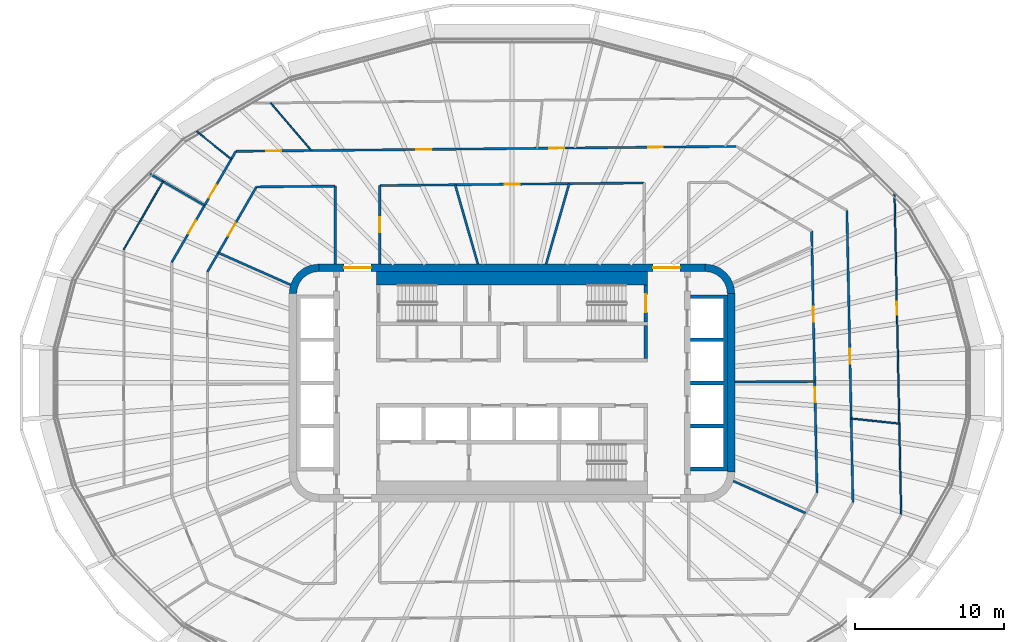
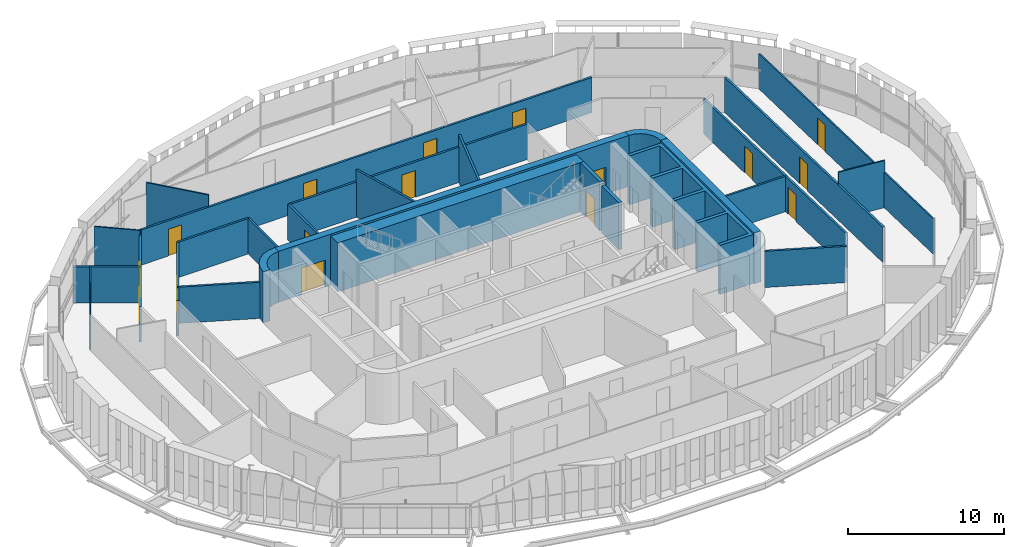
# One storey, part 13 of 22: 28 walls, 16 doors, 16 openings.
"""IFC4 building model written with IfcOpenShell, lengths in metres."""

from ifc_helpers import new_model, si_unit, direction, frame, frame_2d, origin, place, context, subcontext, project, spatial, polyline, rectangle, outline, extrude, material, layer, layer_set, type_object, element, fill, save


model = new_model("IFC4")

# Units and contexts
model_context = context("Model", 3, precision=1e-05, world=origin(), true_north=direction((0.0, 1.0)))
body_context = subcontext(model_context, "Body", "Model", "MODEL_VIEW")
ifc_project = project(units=[si_unit("LENGTHUNIT", "METRE"), si_unit("AREAUNIT", "SQUARE_METRE"), si_unit("VOLUMEUNIT", "CUBIC_METRE"), si_unit("PLANEANGLEUNIT", "RADIAN"), si_unit("MASSUNIT", "GRAM", prefix="KILO")], contexts=[model_context])

# Site, building, storey
site_placement = place(None, origin())
site = spatial("IfcSite", under=ifc_project, at=site_placement, CompositionType="ELEMENT")
building_placement = place(site_placement, origin())
building = spatial("IfcBuilding", under=site, at=building_placement, Name="Sahrelin Media Tower", CompositionType="ELEMENT")
storey_placement = place(building_placement, frame((0.0, 0.0, 189.60009765625)))
storey = spatial("IfcBuildingStorey", under=building, at=storey_placement, Name="L40", CompositionType="ELEMENT", Elevation=189.60009765625)

# Wall, openings, doors
ifc_material_1 = material(Name="Concrete C60/75", Category="concrete")
ifc_layer_1 = layer(ifc_material_1, 0.5)
ifc_layer_set_1 = layer_set([ifc_layer_1], Name="Core wall 500")
wall_type_1 = type_object("IfcWallType", Name="Core wall 500", PredefinedType="SHEAR", material=ifc_layer_set_1)
wall_1_placement = place(storey_placement, frame((-13.0, 7.75, 0.0), z_axis=(0.0, 0.0, 1.0), x_axis=(1.0, 0.0, 0.0)))
wall_1 = element("IfcWall", 1, at=wall_1_placement, inside=storey, type_object=wall_type_1, Name="Core wall N L40", PredefinedType="SHEAR", context=body_context, shape_type="SweptSolid", body=[
    extrude(rectangle(XDim=26.0, YDim=0.5, at=frame_2d((13.0, 0.0))), origin(), (0.0, 0.0, 1.0), 4.0),
])
opening_1_placement = place(wall_1_placement, frame((1.699951171875, 0.0, 0.0)))
opening_1 = element("IfcOpeningElement", 2, at=opening_1_placement, cuts=wall_1, Name="Opening L40-D17", PredefinedType="OPENING", context=body_context, shape_type="SweptSolid", body=[
    extrude(rectangle(XDim=1.800048828125, YDim=2.10009765625, at=frame_2d((0.89990234375, 1.050048828125))), frame((0.0, 0.25, 0.0), z_axis=(0.0, -1.0, 0.0), x_axis=(1.0, 0.0, 0.0)), (0.0, 0.0, 1.0), 0.5),
])
opening_2_placement = place(wall_1_placement, frame((22.5, 0.0, 0.0)))
opening_2 = element("IfcOpeningElement", 3, at=opening_2_placement, cuts=wall_1, Name="Opening L40-D18", PredefinedType="OPENING", context=body_context, shape_type="SweptSolid", body=[
    extrude(rectangle(XDim=1.800048828125, YDim=2.10009765625, at=frame_2d((0.89990234375, 1.050048828125))), frame((0.0, 0.25, 0.0), z_axis=(0.0, -1.0, 0.0), x_axis=(1.0, 0.0, 0.0)), (0.0, 0.0, 1.0), 0.5),
])
ifc_material_2 = material(Name="Steel fire door leaf", Category="steel")
door_type_1 = type_object("IfcDoorType", Name="Lobby double door 1800 x 2100 EI 60", OperationType="DOUBLE_DOOR_SINGLE_SWING", PredefinedType="DOOR", material=ifc_material_2)
door_1_placement = place(opening_1_placement, origin())
door_1 = element("IfcDoor", 4, at=door_1_placement, inside=storey, type_object=door_type_1, Name="Lobby door", OperationType="DOUBLE_DOOR_SINGLE_SWING", OverallHeight=2.10009765625, OverallWidth=1.800048828125, PredefinedType="DOOR", context=body_context, shape_type="SweptSolid", body=[
    extrude(rectangle(XDim=1.800048828125, YDim=2.10009765625, at=frame_2d((0.89990234375, 1.050048828125))), frame((0.0, 0.02490234375, 0.0), z_axis=(0.0, -1.0, 0.0), x_axis=(1.0, 0.0, 0.0)), (0.0, 0.0, 1.0), 0.050048828125),
])
fill(opening_1, door_1)
door_2_placement = place(opening_2_placement, origin())
door_2 = element("IfcDoor", 5, at=door_2_placement, inside=storey, type_object=door_type_1, Name="Lobby door", OperationType="DOUBLE_DOOR_SINGLE_SWING", OverallHeight=2.10009765625, OverallWidth=1.800048828125, PredefinedType="DOOR", context=body_context, shape_type="SweptSolid", body=[
    extrude(rectangle(XDim=1.800048828125, YDim=2.10009765625, at=frame_2d((0.89990234375, 1.050048828125))), frame((0.0, 0.02490234375, 0.0), z_axis=(0.0, -1.0, 0.0), x_axis=(1.0, 0.0, 0.0)), (0.0, 0.0, 1.0), 0.050048828125),
])
fill(opening_2, door_2)

# Walls
wall_2_placement = place(storey_placement, frame((14.75, -6.0, 0.0), z_axis=(0.0, 0.0, 1.0), x_axis=(0.0, 1.0, 0.0)))
element("IfcWall", 6, at=wall_2_placement, inside=storey, type_object=wall_type_1, Name="Core wall E L40", PredefinedType="SHEAR", context=body_context, shape_type="SweptSolid", body=[
    extrude(rectangle(XDim=12.0, YDim=0.5, at=frame_2d((6.0, 0.0))), origin(), (0.0, 0.0, 1.0), 4.0),
])
placement = place(storey_placement, origin())
element("IfcWall", 7, at=placement, inside=storey, type_object=wall_type_1, Name="Core wall corner NE L40", PredefinedType="SHEAR", context=body_context, shape_type="SweptSolid", body=[
    extrude(outline(polyline([(13.0, 8.0), (13.0, 7.49560546875), (13.38720703125, 7.44482421875), (13.747802734375, 7.29541015625), (14.0576171875, 7.0576171875), (14.29541015625, 6.747802734375), (14.44482421875, 6.38720703125), (14.49560546875, 6.0), (15.0, 6.0), (14.931884765625, 6.517578125), (14.732177734375, 7.0), (14.414306640625, 7.414306640625), (14.0, 7.732177734375), (13.517578125, 7.931884765625), (13.0, 8.0)])), origin(), (0.0, 0.0, 1.0), 4.0),
])
element("IfcWall", 8, at=placement, inside=storey, type_object=wall_type_1, Name="Core wall corner NW L40", PredefinedType="SHEAR", context=body_context, shape_type="SweptSolid", body=[
    extrude(outline(polyline([(-15.0, 6.0), (-14.49560546875, 6.0), (-14.44482421875, 6.38720703125), (-14.29541015625, 6.747802734375), (-14.0576171875, 7.0576171875), (-13.747802734375, 7.29541015625), (-13.38720703125, 7.44482421875), (-13.0, 7.49560546875), (-13.0, 8.0), (-13.517578125, 7.931884765625), (-14.0, 7.732177734375), (-14.414306640625, 7.414306640625), (-14.732177734375, 7.0), (-14.931884765625, 6.517578125), (-15.0, 6.0)])), origin(), (0.0, 0.0, 1.0), 4.0),
])
ifc_material_3 = material(Name="Fire-rated gypsum board partition")
ifc_layer_2 = layer(ifc_material_3, 0.25)
ifc_layer_set_2 = layer_set([ifc_layer_2], Name="Fire-rated lobby wall 250")
wall_type_2 = type_object("IfcWallType", Name="Fire-rated lobby wall 250", PredefinedType="PARTITIONING", material=ifc_layer_set_2)
wall_5_placement = place(storey_placement, frame((9.0, 1.64990234375, 0.0), z_axis=(0.0, 0.0, 1.0), x_axis=(0.0, 1.0, 0.0)))
element("IfcWall", 9, at=wall_5_placement, inside=storey, type_object=wall_type_2, Name="Core lobby wall", PredefinedType="PARTITIONING", context=body_context, shape_type="SweptSolid", body=[
    extrude(rectangle(XDim=2.2001953125, YDim=0.25, at=frame_2d((1.10009765625, 0.0))), origin(), (0.0, 0.0, 1.0), 3.699951171875),
])

# Wall, openings, doors
ifc_layer_3 = layer(ifc_material_3, 0.14990234375)
ifc_layer_set_3 = layer_set([ifc_layer_3], Name="Fire-rated partition 150")
wall_type_3 = type_object("IfcWallType", Name="Fire-rated partition 150", PredefinedType="PARTITIONING", material=ifc_layer_set_3)
wall_6_placement = place(storey_placement, frame((20.1669921875, 10.212890625, 0.0), z_axis=(0.0, 0.0, 1.0), x_axis=(0.020624730832, -0.999787287616, 0.0)))
wall_6 = element("IfcWall", 10, at=wall_6_placement, inside=storey, type_object=wall_type_3, Name="Wall", PredefinedType="PARTITIONING", context=body_context, shape_type="SweptSolid", body=[
    extrude(rectangle(XDim=17.637451171875, YDim=0.14990234375, at=frame_2d((8.81884765625, 0.0))), origin(), (0.0, 0.0, 1.0), 2.76806640625),
])
opening_3_placement = place(wall_6_placement, frame((10.507568359375, 0.0, 0.0)))
opening_3 = element("IfcOpeningElement", 11, at=opening_3_placement, cuts=wall_6, Name="Opening L40-D25", PredefinedType="OPENING", context=body_context, shape_type="SweptSolid", body=[
    extrude(rectangle(XDim=1.0, YDim=2.10009765625, at=frame_2d((0.5, 1.050048828125))), frame((0.0, 0.074951171875, 0.0), z_axis=(0.0, -1.0, 0.0), x_axis=(1.0, 0.0, 0.0)), (0.0, 0.0, 1.0), 0.14990234375),
])
opening_4_placement = place(wall_6_placement, frame((5.089111328125, 0.0, 0.0)))
opening_4 = element("IfcOpeningElement", 12, at=opening_4_placement, cuts=wall_6, Name="Opening L40-D26", PredefinedType="OPENING", context=body_context, shape_type="SweptSolid", body=[
    extrude(rectangle(XDim=1.0, YDim=2.10009765625, at=frame_2d((0.5, 1.050048828125))), frame((0.0, 0.074951171875, 0.0), z_axis=(0.0, -1.0, 0.0), x_axis=(1.0, 0.0, 0.0)), (0.0, 0.0, 1.0), 0.14990234375),
])
door_type_2 = type_object("IfcDoorType", Name="Fire door 1000 x 2100 EI 60", OperationType="NOTDEFINED", PredefinedType="DOOR", material=ifc_material_2)
door_3_placement = place(opening_3_placement, origin())
door_3 = element("IfcDoor", 13, at=door_3_placement, inside=storey, type_object=door_type_2, Name="Fire door", OperationType="SINGLE_SWING_RIGHT", OverallHeight=2.10009765625, OverallWidth=1.0, PredefinedType="DOOR", context=body_context, shape_type="SweptSolid", body=[
    extrude(rectangle(XDim=1.0, YDim=2.10009765625, at=frame_2d((0.5, 1.050048828125))), frame((0.0, 0.02490234375, 0.0), z_axis=(0.0, -1.0, 0.0), x_axis=(1.0, 0.0, 0.0)), (0.0, 0.0, 1.0), 0.050048828125),
])
fill(opening_3, door_3)
door_4_placement = place(opening_4_placement, origin())
door_4 = element("IfcDoor", 14, at=door_4_placement, inside=storey, type_object=door_type_2, Name="Fire door", OperationType="SINGLE_SWING_LEFT", OverallHeight=2.10009765625, OverallWidth=1.0, PredefinedType="DOOR", context=body_context, shape_type="SweptSolid", body=[
    extrude(rectangle(XDim=1.0, YDim=2.10009765625, at=frame_2d((0.5, 1.050048828125))), frame((0.0, 0.02490234375, 0.0), z_axis=(0.0, -1.0, 0.0), x_axis=(1.0, 0.0, 0.0)), (0.0, 0.0, 1.0), 0.050048828125),
])
fill(opening_4, door_4)

# Wall, opening, door
wall_7_placement = place(storey_placement, frame((22.5390625, 11.614990234375, 0.0), z_axis=(0.0, 0.0, 1.0), x_axis=(0.020626332176, -0.99978725458, 0.0)))
wall_7 = element("IfcWall", 15, at=wall_7_placement, inside=storey, type_object=wall_type_3, Name="Wall", PredefinedType="PARTITIONING", context=body_context, shape_type="SweptSolid", body=[
    extrude(rectangle(XDim=19.66015625, YDim=0.14990234375, at=frame_2d((9.830078125, 0.0))), origin(), (0.0, 0.0, 1.0), 2.76806640625),
])
opening_5_placement = place(wall_7_placement, frame((9.329833984375, 0.0, 0.0)))
opening_5 = element("IfcOpeningElement", 16, at=opening_5_placement, cuts=wall_7, Name="Opening L40-D36", PredefinedType="OPENING", context=body_context, shape_type="SweptSolid", body=[
    extrude(rectangle(XDim=1.0, YDim=2.10009765625, at=frame_2d((0.5, 1.050048828125))), frame((0.0, 0.074951171875, 0.0), z_axis=(0.0, -1.0, 0.0), x_axis=(1.0, 0.0, 0.0)), (0.0, 0.0, 1.0), 0.14990234375),
])
door_5_placement = place(opening_5_placement, origin())
door_5 = element("IfcDoor", 17, at=door_5_placement, inside=storey, type_object=door_type_2, Name="Fire door", OperationType="SINGLE_SWING_RIGHT", OverallHeight=2.10009765625, OverallWidth=1.0, PredefinedType="DOOR", context=body_context, shape_type="SweptSolid", body=[
    extrude(rectangle(XDim=1.0, YDim=2.10009765625, at=frame_2d((0.5, 1.050048828125))), frame((0.0, 0.02490234375, 0.0), z_axis=(0.0, -1.0, 0.0), x_axis=(1.0, 0.0, 0.0)), (0.0, 0.0, 1.0), 0.050048828125),
])
fill(opening_5, door_5)

# Walls
wall_8_placement = place(storey_placement, frame((-3.826904296875, 13.3330078125, 0.0), z_axis=(0.0, 0.0, 1.0), x_axis=(0.275935525478, -0.961176147113, 0.0)))
element("IfcWall", 18, at=wall_8_placement, inside=storey, type_object=wall_type_3, Name="Wall", PredefinedType="PARTITIONING", context=body_context, shape_type="SweptSolid", body=[
    extrude(rectangle(XDim=5.54833984375, YDim=0.14990234375, at=frame_2d((2.774169921875, 0.0))), origin(), (0.0, 0.0, 1.0), 3.699951171875),
])
wall_9_placement = place(storey_placement, frame((-24.43310546875, 14.10595703125, 0.0), z_axis=(0.0, 0.0, 1.0), x_axis=(0.866048255864, -0.499960416948, 0.0)))
element("IfcWall", 19, at=wall_9_placement, inside=storey, type_object=wall_type_3, Name="Wall", PredefinedType="PARTITIONING", context=body_context, shape_type="SweptSolid", body=[
    extrude(rectangle(XDim=4.322021484375, YDim=0.14990234375, at=frame_2d((2.1611328125, 0.0))), origin(), (0.0, 0.0, 1.0), 2.844970703125),
])
wall_10_placement = place(storey_placement, frame((-19.760009765625, 8.7548828125, 0.0), z_axis=(0.0, 0.0, 1.0), x_axis=(0.91424834547, -0.405154245695, 0.0)))
element("IfcWall", 20, at=wall_10_placement, inside=storey, type_object=wall_type_3, Name="Wall", PredefinedType="PARTITIONING", context=body_context, shape_type="SweptSolid", body=[
    extrude(rectangle(XDim=5.31787109375, YDim=0.14990234375, at=frame_2d((2.658935546875, 0.0))), origin(), (0.0, 0.0, 1.0), 2.844970703125),
])
wall_11_placement = place(storey_placement, frame((14.89501953125, -6.60693359375, 0.0), z_axis=(0.0, 0.0, 1.0), x_axis=(0.914233271379, -0.405188259337, 0.0)))
element("IfcWall", 21, at=wall_11_placement, inside=storey, type_object=wall_type_3, Name="Wall", PredefinedType="PARTITIONING", context=body_context, shape_type="SweptSolid", body=[
    extrude(rectangle(XDim=5.3173828125, YDim=0.14990234375, at=frame_2d((2.65869140625, 0.0))), origin(), (0.0, 0.0, 1.0), 2.844970703125),
])
wall_12_placement = place(storey_placement, frame((15.0, 0.06298828125, 0.0), z_axis=(0.0, 0.0, 1.0), x_axis=(0.999990294223, 0.004405843865, 0.0)))
element("IfcWall", 22, at=wall_12_placement, inside=storey, type_object=wall_type_3, Name="Wall", PredefinedType="PARTITIONING", context=body_context, shape_type="SweptSolid", body=[
    extrude(rectangle(XDim=5.375, YDim=0.14990234375, at=frame_2d((2.6875, 0.0))), origin(), (0.0, 0.0, 1.0), 2.76806640625),
])
wall_13_placement = place(storey_placement, frame((-17.194091796875, 13.19091796875, 0.0), z_axis=(0.0, 0.0, 1.0), x_axis=(0.999950853109, 0.009914200296, 0.0)))
element("IfcWall", 23, at=wall_13_placement, inside=storey, type_object=wall_type_3, Name="Wall", PredefinedType="PARTITIONING", context=body_context, shape_type="SweptSolid", body=[
    extrude(rectangle(XDim=5.29443359375, YDim=0.14990234375, at=frame_2d((2.647216796875, 0.0))), origin(), (0.0, 0.0, 1.0), 2.77685546875),
])

# Wall, opening, door
wall_14_placement = place(storey_placement, frame((-8.89990234375, 13.282470703125, 0.0), z_axis=(0.0, 0.0, 1.0), x_axis=(0.999951241216, 0.009874977968, 0.0)))
wall_14 = element("IfcWall", 24, at=wall_14_placement, inside=storey, type_object=wall_type_3, Name="Wall", PredefinedType="PARTITIONING", context=body_context, shape_type="SweptSolid", body=[
    extrude(rectangle(XDim=17.80078125, YDim=0.14990234375, at=frame_2d((8.900390625, 0.0))), origin(), (0.0, 0.0, 1.0), 2.76806640625),
])
opening_6_placement = place(wall_14_placement, frame((8.41259765625, 0.0, 0.0)))
opening_6 = element("IfcOpeningElement", 25, at=opening_6_placement, cuts=wall_14, Name="Opening L40-D29", PredefinedType="OPENING", context=body_context, shape_type="SweptSolid", body=[
    extrude(rectangle(XDim=1.0, YDim=2.10009765625, at=frame_2d((0.5, 1.050048828125))), frame((0.0, 0.074951171875, 0.0), z_axis=(0.0, -1.0, 0.0), x_axis=(1.0, 0.0, 0.0)), (0.0, 0.0, 1.0), 0.14990234375),
])
door_6_placement = place(opening_6_placement, origin())
door_6 = element("IfcDoor", 26, at=door_6_placement, inside=storey, type_object=door_type_2, Name="Fire door", OperationType="SINGLE_SWING_RIGHT", OverallHeight=2.10009765625, OverallWidth=1.0, PredefinedType="DOOR", context=body_context, shape_type="SweptSolid", body=[
    extrude(rectangle(XDim=1.0, YDim=2.10009765625, at=frame_2d((0.5, 1.050048828125))), frame((0.0, 0.02490234375, 0.0), z_axis=(0.0, -1.0, 0.0), x_axis=(1.0, 0.0, 0.0)), (0.0, 0.0, 1.0), 0.050048828125),
])
fill(opening_6, door_6)

# Wall, openings, doors
wall_15_placement = place(storey_placement, frame((-18.5869140625, 15.58642578125, 0.0), z_axis=(0.0, 0.0, 1.0), x_axis=(0.999951300332, 0.009868989991, 0.0)))
wall_15 = element("IfcWall", 27, at=wall_15_placement, inside=storey, type_object=wall_type_3, Name="Wall", PredefinedType="PARTITIONING", context=body_context, shape_type="SweptSolid", body=[
    extrude(rectangle(XDim=33.668701171875, YDim=0.14990234375, at=frame_2d((16.83447265625, 0.0))), origin(), (0.0, 0.0, 1.0), 2.76806640625),
])
opening_7_placement = place(wall_15_placement, frame((27.74853515625, 0.0, 0.0)))
opening_7 = element("IfcOpeningElement", 28, at=opening_7_placement, cuts=wall_15, Name="Opening L40-D39", PredefinedType="OPENING", context=body_context, shape_type="SweptSolid", body=[
    extrude(rectangle(XDim=1.0, YDim=2.10009765625, at=frame_2d((0.5, 1.050048828125))), frame((0.0, 0.074951171875, 0.0), z_axis=(0.0, -1.0, 0.0), x_axis=(1.0, 0.0, 0.0)), (0.0, 0.0, 1.0), 0.14990234375),
])
opening_8_placement = place(wall_15_placement, frame((21.11083984375, 0.0, 0.0)))
opening_8 = element("IfcOpeningElement", 29, at=opening_8_placement, cuts=wall_15, Name="Opening L40-D41", PredefinedType="OPENING", context=body_context, shape_type="SweptSolid", body=[
    extrude(rectangle(XDim=1.0, YDim=2.10009765625, at=frame_2d((0.5, 1.050048828125))), frame((0.0, 0.074951171875, 0.0), z_axis=(0.0, -1.0, 0.0), x_axis=(1.0, 0.0, 0.0)), (0.0, 0.0, 1.0), 0.14990234375),
])
opening_9_placement = place(wall_15_placement, frame((12.139404296875, 0.0, 0.0)))
opening_9 = element("IfcOpeningElement", 30, at=opening_9_placement, cuts=wall_15, Name="Opening L40-D42", PredefinedType="OPENING", context=body_context, shape_type="SweptSolid", body=[
    extrude(rectangle(XDim=1.0, YDim=2.10009765625, at=frame_2d((0.5, 1.050048828125))), frame((0.0, 0.074951171875, 0.0), z_axis=(0.0, -1.0, 0.0), x_axis=(1.0, 0.0, 0.0)), (0.0, 0.0, 1.0), 0.14990234375),
])
opening_10_placement = place(wall_15_placement, frame((2.0478515625, 0.0, 0.0)))
opening_10 = element("IfcOpeningElement", 31, at=opening_10_placement, cuts=wall_15, Name="Opening L40-D43", PredefinedType="OPENING", context=body_context, shape_type="SweptSolid", body=[
    extrude(rectangle(XDim=1.0, YDim=2.10009765625, at=frame_2d((0.5, 1.050048828125))), frame((0.0, 0.074951171875, 0.0), z_axis=(0.0, -1.0, 0.0), x_axis=(1.0, 0.0, 0.0)), (0.0, 0.0, 1.0), 0.14990234375),
])
door_7_placement = place(opening_7_placement, origin())
door_7 = element("IfcDoor", 32, at=door_7_placement, inside=storey, type_object=door_type_2, Name="Fire door", OperationType="SINGLE_SWING_RIGHT", OverallHeight=2.10009765625, OverallWidth=1.0, PredefinedType="DOOR", context=body_context, shape_type="SweptSolid", body=[
    extrude(rectangle(XDim=1.0, YDim=2.10009765625, at=frame_2d((0.5, 1.050048828125))), frame((0.0, 0.02490234375, 0.0), z_axis=(0.0, -1.0, 0.0), x_axis=(1.0, 0.0, 0.0)), (0.0, 0.0, 1.0), 0.050048828125),
])
fill(opening_7, door_7)
door_8_placement = place(opening_8_placement, origin())
door_8 = element("IfcDoor", 33, at=door_8_placement, inside=storey, type_object=door_type_2, Name="Fire door", OperationType="SINGLE_SWING_LEFT", OverallHeight=2.10009765625, OverallWidth=1.0, PredefinedType="DOOR", context=body_context, shape_type="SweptSolid", body=[
    extrude(rectangle(XDim=1.0, YDim=2.10009765625, at=frame_2d((0.5, 1.050048828125))), frame((0.0, 0.02490234375, 0.0), z_axis=(0.0, -1.0, 0.0), x_axis=(1.0, 0.0, 0.0)), (0.0, 0.0, 1.0), 0.050048828125),
])
fill(opening_8, door_8)
door_9_placement = place(opening_9_placement, origin())
door_9 = element("IfcDoor", 34, at=door_9_placement, inside=storey, type_object=door_type_2, Name="Fire door", OperationType="SINGLE_SWING_LEFT", OverallHeight=2.10009765625, OverallWidth=1.0, PredefinedType="DOOR", context=body_context, shape_type="SweptSolid", body=[
    extrude(rectangle(XDim=1.0, YDim=2.10009765625, at=frame_2d((0.5, 1.050048828125))), frame((0.0, 0.02490234375, 0.0), z_axis=(0.0, -1.0, 0.0), x_axis=(1.0, 0.0, 0.0)), (0.0, 0.0, 1.0), 0.050048828125),
])
fill(opening_9, door_9)
door_10_placement = place(opening_10_placement, origin())
door_10 = element("IfcDoor", 35, at=door_10_placement, inside=storey, type_object=door_type_2, Name="Fire door", OperationType="SINGLE_SWING_RIGHT", OverallHeight=2.10009765625, OverallWidth=1.0, PredefinedType="DOOR", context=body_context, shape_type="SweptSolid", body=[
    extrude(rectangle(XDim=1.0, YDim=2.10009765625, at=frame_2d((0.5, 1.050048828125))), frame((0.0, 0.02490234375, 0.0), z_axis=(0.0, -1.0, 0.0), x_axis=(1.0, 0.0, 0.0)), (0.0, 0.0, 1.0), 0.050048828125),
])
fill(opening_10, door_10)

# Wall, opening, door
wall_16_placement = place(storey_placement, frame((-20.5, 7.47412109375, 0.0), z_axis=(0.0, 0.0, 1.0), x_axis=(0.499957196903, 0.866050114754, 0.0)))
wall_16 = element("IfcWall", 36, at=wall_16_placement, inside=storey, type_object=wall_type_3, Name="Wall", PredefinedType="PARTITIONING", context=body_context, shape_type="SweptSolid", body=[
    extrude(rectangle(XDim=6.60205078125, YDim=0.14990234375, at=frame_2d((3.301025390625, 0.0))), origin(), (0.0, 0.0, 1.0), 2.77685546875),
])
opening_11_placement = place(wall_16_placement, frame((2.8017578125, 0.0, 0.0)))
opening_11 = element("IfcOpeningElement", 37, at=opening_11_placement, cuts=wall_16, Name="Opening L40-D31", PredefinedType="OPENING", context=body_context, shape_type="SweptSolid", body=[
    extrude(rectangle(XDim=1.0, YDim=2.10009765625, at=frame_2d((0.5, 1.050048828125))), frame((0.0, 0.074951171875, 0.0), z_axis=(0.0, -1.0, 0.0), x_axis=(1.0, 0.0, 0.0)), (0.0, 0.0, 1.0), 0.14990234375),
])
door_11_placement = place(opening_11_placement, origin())
door_11 = element("IfcDoor", 38, at=door_11_placement, inside=storey, type_object=door_type_2, Name="Fire door", OperationType="SINGLE_SWING_LEFT", OverallHeight=2.10009765625, OverallWidth=1.0, PredefinedType="DOOR", context=body_context, shape_type="SweptSolid", body=[
    extrude(rectangle(XDim=1.0, YDim=2.10009765625, at=frame_2d((0.5, 1.050048828125))), frame((0.0, 0.02490234375, 0.0), z_axis=(0.0, -1.0, 0.0), x_axis=(1.0, 0.0, 0.0)), (0.0, 0.0, 1.0), 0.050048828125),
])
fill(opening_11, door_11)

# Wall, openings, doors
wall_17_placement = place(storey_placement, frame((-22.89990234375, 8.116943359375, 0.0), z_axis=(0.0, 0.0, 1.0), x_axis=(0.499950307977, 0.866054091587, 0.0)))
wall_17 = element("IfcWall", 39, at=wall_17_placement, inside=storey, type_object=wall_type_3, Name="Wall", PredefinedType="PARTITIONING", context=body_context, shape_type="SweptSolid", body=[
    extrude(rectangle(XDim=8.6259765625, YDim=0.14990234375, at=frame_2d((4.31298828125, 0.0))), origin(), (0.0, 0.0, 1.0), 2.77685546875),
])
opening_12_placement = place(wall_17_placement, frame((5.015380859375, 0.0, 0.0)))
opening_12 = element("IfcOpeningElement", 40, at=opening_12_placement, cuts=wall_17, Name="Opening L40-D44", PredefinedType="OPENING", context=body_context, shape_type="SweptSolid", body=[
    extrude(rectangle(XDim=1.0, YDim=2.10009765625, at=frame_2d((0.5, 1.050048828125))), frame((0.0, 0.074951171875, 0.0), z_axis=(0.0, -1.0, 0.0), x_axis=(1.0, 0.0, 0.0)), (0.0, 0.0, 1.0), 0.14990234375),
])
opening_13_placement = place(wall_17_placement, frame((2.2373046875, 0.0, 0.0)))
opening_13 = element("IfcOpeningElement", 41, at=opening_13_placement, cuts=wall_17, Name="Opening L40-D46", PredefinedType="OPENING", context=body_context, shape_type="SweptSolid", body=[
    extrude(rectangle(XDim=1.0, YDim=2.10009765625, at=frame_2d((0.5, 1.050048828125))), frame((0.0, 0.074951171875, 0.0), z_axis=(0.0, -1.0, 0.0), x_axis=(1.0, 0.0, 0.0)), (0.0, 0.0, 1.0), 0.14990234375),
])
door_12_placement = place(opening_12_placement, origin())
door_12 = element("IfcDoor", 42, at=door_12_placement, inside=storey, type_object=door_type_2, Name="Fire door", OperationType="SINGLE_SWING_RIGHT", OverallHeight=2.10009765625, OverallWidth=1.0, PredefinedType="DOOR", context=body_context, shape_type="SweptSolid", body=[
    extrude(rectangle(XDim=1.0, YDim=2.10009765625, at=frame_2d((0.5, 1.050048828125))), frame((0.0, 0.02490234375, 0.0), z_axis=(0.0, -1.0, 0.0), x_axis=(1.0, 0.0, 0.0)), (0.0, 0.0, 1.0), 0.050048828125),
])
fill(opening_12, door_12)
door_13_placement = place(opening_13_placement, origin())
door_13 = element("IfcDoor", 43, at=door_13_placement, inside=storey, type_object=door_type_2, Name="Fire door", OperationType="SINGLE_SWING_RIGHT", OverallHeight=2.10009765625, OverallWidth=1.0, PredefinedType="DOOR", context=body_context, shape_type="SweptSolid", body=[
    extrude(rectangle(XDim=1.0, YDim=2.10009765625, at=frame_2d((0.5, 1.050048828125))), frame((0.0, 0.02490234375, 0.0), z_axis=(0.0, -1.0, 0.0), x_axis=(1.0, 0.0, 0.0)), (0.0, 0.0, 1.0), 0.050048828125),
])
fill(opening_13, door_13)

# Wall
wall_18_placement = place(storey_placement, frame((2.2958984375, 8.0, 0.0), z_axis=(0.0, 0.0, 1.0), x_axis=(0.275958345059, 0.961169595749, 0.0)))
element("IfcWall", 44, at=wall_18_placement, inside=storey, type_object=wall_type_3, Name="Wall", PredefinedType="PARTITIONING", context=body_context, shape_type="SweptSolid", body=[
    extrude(rectangle(XDim=5.62841796875, YDim=0.14990234375, at=frame_2d((2.814208984375, 0.0))), origin(), (0.0, 0.0, 1.0), 3.699951171875),
])

# Wall, opening, door
wall_19_placement = place(storey_placement, frame((-8.89990234375, 8.0, 0.0), z_axis=(0.0, 0.0, 1.0), x_axis=(0.0, 1.0, 0.0)))
wall_19 = element("IfcWall", 45, at=wall_19_placement, inside=storey, type_object=wall_type_3, Name="Wall", PredefinedType="PARTITIONING", context=body_context, shape_type="SweptSolid", body=[
    extrude(rectangle(XDim=5.282958984375, YDim=0.14990234375, at=frame_2d((2.6416015625, 0.0))), origin(), (0.0, 0.0, 1.0), 2.77685546875),
])
opening_14_placement = place(wall_19_placement, frame((2.1416015625, 0.0, 0.0)))
opening_14 = element("IfcOpeningElement", 46, at=opening_14_placement, cuts=wall_19, Name="Opening L40-D30", PredefinedType="OPENING", context=body_context, shape_type="SweptSolid", body=[
    extrude(rectangle(XDim=1.0, YDim=2.10009765625, at=frame_2d((0.5, 1.050048828125))), frame((0.0, 0.074951171875, 0.0), z_axis=(0.0, -1.0, 0.0), x_axis=(1.0, 0.0, 0.0)), (0.0, 0.0, 1.0), 0.14990234375),
])
door_14_placement = place(opening_14_placement, origin())
door_14 = element("IfcDoor", 47, at=door_14_placement, inside=storey, type_object=door_type_2, Name="Fire door", OperationType="SINGLE_SWING_RIGHT", OverallHeight=2.10009765625, OverallWidth=1.0, PredefinedType="DOOR", context=body_context, shape_type="SweptSolid", body=[
    extrude(rectangle(XDim=1.0, YDim=2.10009765625, at=frame_2d((0.5, 1.050048828125))), frame((0.0, 0.02490234375, 0.0), z_axis=(0.0, -1.0, 0.0), x_axis=(1.0, 0.0, 0.0)), (0.0, 0.0, 1.0), 0.050048828125),
])
fill(opening_14, door_14)

# Walls
wall_20_placement = place(storey_placement, frame((-11.89990234375, 8.0, 0.0), z_axis=(0.0, 0.0, 1.0), x_axis=(0.0, 1.0, 0.0)))
element("IfcWall", 48, at=wall_20_placement, inside=storey, type_object=wall_type_3, Name="Wall", PredefinedType="PARTITIONING", context=body_context, shape_type="SweptSolid", body=[
    extrude(rectangle(XDim=5.242919921875, YDim=0.14990234375, at=frame_2d((2.62158203125, 0.0))), origin(), (0.0, 0.0, 1.0), 2.77685546875),
])
ifc_layer_4 = layer(ifc_material_1, 0.25)
ifc_layer_set_4 = layer_set([ifc_layer_4], Name="Lift shaft wall 250")
wall_type_4 = type_object("IfcWallType", Name="Lift shaft wall 250", PredefinedType="SOLIDWALL", material=ifc_layer_set_4)
element("IfcWall", 49, at=placement, inside=storey, type_object=wall_type_4, Name="Lift shaft wall", PredefinedType="SOLIDWALL", context=body_context, shape_type="SweptSolid", body=[
    extrude(outline(polyline([(12.0, -5.675048828125), (12.0, -5.925048828125), (14.25, -5.925048828125), (14.5, -5.925048828125), (14.5, -5.675048828125), (14.5, -3.02490234375), (14.5, -2.77490234375), (14.5, -0.125), (14.5, 0.125), (14.5, 2.77490234375), (14.5, 3.02490234375), (14.5, 5.675048828125), (14.5, 5.925048828125), (14.25, 5.925048828125), (12.0, 5.925048828125), (12.0, 5.675048828125), (14.25, 5.675048828125), (14.25, 3.02490234375), (12.0, 3.02490234375), (12.0, 2.77490234375), (14.25, 2.77490234375), (14.25, 0.125), (12.0, 0.125), (12.0, -0.125), (14.25, -0.125), (14.25, -2.77490234375), (12.0, -2.77490234375), (12.0, -3.02490234375), (14.25, -3.02490234375), (14.25, -5.675048828125), (12.0, -5.675048828125)])), origin(), (0.0, 0.0, 1.0), 3.849853515625),
])

# Wall, opening, door
ifc_material_4 = material(Name="Gypsum board partition")
ifc_layer_5 = layer(ifc_material_4, 0.10009765625)
ifc_layer_set_5 = layer_set([ifc_layer_5], Name="Partition 100")
wall_type_5 = type_object("IfcWallType", Name="Partition 100", PredefinedType="PARTITIONING", material=ifc_layer_set_5)
wall_22_placement = place(storey_placement, frame((25.74609375, 12.7939453125, 0.0), z_axis=(0.0, 0.0, 1.0), x_axis=(0.020556718749, -0.999788688331, 0.0)))
wall_22 = element("IfcWall", 50, at=wall_22_placement, inside=storey, type_object=wall_type_5, Name="Wall", PredefinedType="PARTITIONING", context=body_context, shape_type="SweptSolid", body=[
    extrude(rectangle(XDim=21.674560546875, YDim=0.10009765625, at=frame_2d((10.83740234375, 0.0))), origin(), (0.0, 0.0, 1.0), 2.76806640625),
])
opening_15_placement = place(wall_22_placement, frame((7.319580078125, 0.0, 0.0)))
opening_15 = element("IfcOpeningElement", 51, at=opening_15_placement, cuts=wall_22, Name="Opening L40-D37", PredefinedType="OPENING", context=body_context, shape_type="SweptSolid", body=[
    extrude(rectangle(XDim=0.89990234375, YDim=2.10009765625, at=frame_2d((0.449951171875, 1.050048828125))), frame((0.0, 0.050048828125, 0.0), z_axis=(0.0, -1.0, 0.0), x_axis=(1.0, 0.0, 0.0)), (0.0, 0.0, 1.0), 0.10009765625),
])
ifc_material_5 = material(Name="Timber door leaf", Category="wood")
door_type_3 = type_object("IfcDoorType", Name="Single door 900 x 2100", OperationType="NOTDEFINED", PredefinedType="DOOR", material=ifc_material_5)
door_15_placement = place(opening_15_placement, origin())
door_15 = element("IfcDoor", 52, at=door_15_placement, inside=storey, type_object=door_type_3, Name="Single door", OperationType="SINGLE_SWING_LEFT", OverallHeight=2.10009765625, OverallWidth=0.89990234375, PredefinedType="DOOR", context=body_context, shape_type="SweptSolid", body=[
    extrude(rectangle(XDim=0.89990234375, YDim=2.10009765625, at=frame_2d((0.449951171875, 1.050048828125))), frame((0.0, 0.02490234375, 0.0), z_axis=(0.0, -1.0, 0.0), x_axis=(1.0, 0.0, 0.0)), (0.0, 0.0, 1.0), 0.050048828125),
])
fill(opening_15, door_15)

# Walls
wall_23_placement = place(storey_placement, frame((-16.257080078125, 18.841064453125, 0.0), z_axis=(0.0, 0.0, 1.0), x_axis=(0.653325359449, -0.757077258079, 0.0)))
element("IfcWall", 53, at=wall_23_placement, inside=storey, type_object=wall_type_5, Name="Wall", PredefinedType="PARTITIONING", context=body_context, shape_type="SweptSolid", body=[
    extrude(rectangle(XDim=4.23095703125, YDim=0.10009765625, at=frame_2d((2.115478515625, 0.0))), origin(), (0.0, 0.0, 1.0), 3.699951171875),
])
wall_24_placement = place(storey_placement, frame((-21.22802734375, 16.927978515625, 0.0), z_axis=(0.0, 0.0, 1.0), x_axis=(0.781894831851, -0.623410355966, 0.0)))
element("IfcWall", 54, at=wall_24_placement, inside=storey, type_object=wall_type_5, Name="Wall", PredefinedType="PARTITIONING", context=body_context, shape_type="SweptSolid", body=[
    extrude(rectangle(XDim=2.99169921875, YDim=0.10009765625, at=frame_2d((1.495849609375, 0.0))), origin(), (0.0, 0.0, 1.0), 3.151611328125),
])
wall_25_placement = place(storey_placement, frame((22.827880859375, -2.39892578125, 0.0), z_axis=(0.0, 0.0, 1.0), x_axis=(0.994498465997, -0.104751139033, 0.0)))
element("IfcWall", 55, at=wall_25_placement, inside=storey, type_object=wall_type_5, Name="Wall", PredefinedType="PARTITIONING", context=body_context, shape_type="SweptSolid", body=[
    extrude(rectangle(XDim=3.255859375, YDim=0.10009765625, at=frame_2d((1.6279296875, 0.0))), origin(), (0.0, 0.0, 1.0), 3.699951171875),
])
wall_26_placement = place(storey_placement, frame((-26.1298828125, 8.98291015625, 0.0), z_axis=(0.0, 0.0, 1.0), x_axis=(0.500063643593, 0.865988656021, 0.0)))
element("IfcWall", 56, at=wall_26_placement, inside=storey, type_object=wall_type_5, Name="Wall", PredefinedType="PARTITIONING", context=body_context, shape_type="SweptSolid", body=[
    extrude(rectangle(XDim=5.285400390625, YDim=0.10009765625, at=frame_2d((2.642578125, 0.0))), origin(), (0.0, 0.0, 1.0), 2.844970703125),
])

# Wall, opening, door
ifc_layer_6 = layer(ifc_material_1, 0.25)
ifc_layer_set_6 = layer_set([ifc_layer_6], Name="Stair enclosure wall 250")
wall_type_6 = type_object("IfcWallType", Name="Stair enclosure wall 250", PredefinedType="SOLIDWALL", material=ifc_layer_set_6)
wall_27_placement = place(storey_placement, frame((9.0, 4.10009765625, 0.0), z_axis=(0.0, 0.0, 1.0), x_axis=(0.0, 1.0, 0.0)))
wall_27 = element("IfcWall", 57, at=wall_27_placement, inside=storey, type_object=wall_type_6, Name="Stair enclosure wall", PredefinedType="SOLIDWALL", context=body_context, shape_type="SweptSolid", body=[
    extrude(rectangle(XDim=2.5, YDim=0.25, at=frame_2d((1.25, 0.0))), origin(), (0.0, 0.0, 1.0), 3.849853515625),
])
opening_16_placement = place(wall_27_placement, frame((0.64990234375, 0.0, 0.0)))
opening_16 = element("IfcOpeningElement", 58, at=opening_16_placement, cuts=wall_27, Name="Opening L40-D02", PredefinedType="OPENING", context=body_context, shape_type="SweptSolid", body=[
    extrude(rectangle(XDim=1.199951171875, YDim=2.10009765625, at=frame_2d((0.60009765625, 1.050048828125))), frame((0.0, 0.125, 0.0), z_axis=(0.0, -1.0, 0.0), x_axis=(1.0, 0.0, 0.0)), (0.0, 0.0, 1.0), 0.25),
])
door_type_4 = type_object("IfcDoorType", Name="Stair door 1200 x 2100 EI 120", OperationType="NOTDEFINED", PredefinedType="DOOR", material=ifc_material_2)
door_16_placement = place(opening_16_placement, origin())
door_16 = element("IfcDoor", 59, at=door_16_placement, inside=storey, type_object=door_type_4, Name="Stair door ST3", OperationType="SINGLE_SWING_LEFT", OverallHeight=2.10009765625, OverallWidth=1.199951171875, PredefinedType="DOOR", context=body_context, shape_type="SweptSolid", body=[
    extrude(rectangle(XDim=1.199951171875, YDim=2.10009765625, at=frame_2d((0.60009765625, 1.050048828125))), frame((0.0, 0.02490234375, 0.0), z_axis=(0.0, -1.0, 0.0), x_axis=(1.0, 0.0, 0.0)), (0.0, 0.0, 1.0), 0.050048828125),
])
fill(opening_16, door_16)

# Wall
ifc_layer_7 = layer(ifc_material_1, 0.89990234375)
ifc_layer_set_7 = layer_set([ifc_layer_7], Name="Stair enclosure wall 900")
wall_type_7 = type_object("IfcWallType", Name="Stair enclosure wall 900", PredefinedType="SOLIDWALL", material=ifc_layer_set_7)
wall_28_placement = place(storey_placement, frame((-9.125, 7.050048828125, 0.0), z_axis=(0.0, 0.0, 1.0), x_axis=(1.0, 0.0, 0.0)))
element("IfcWall", 60, at=wall_28_placement, inside=storey, type_object=wall_type_7, Name="Stair enclosure wall", PredefinedType="SOLIDWALL", context=body_context, shape_type="SweptSolid", body=[
    extrude(rectangle(XDim=18.25, YDim=0.89990234375, at=frame_2d((9.125, 0.0))), origin(), (0.0, 0.0, 1.0), 3.849853515625),
])

save(model, "model.ifc")
